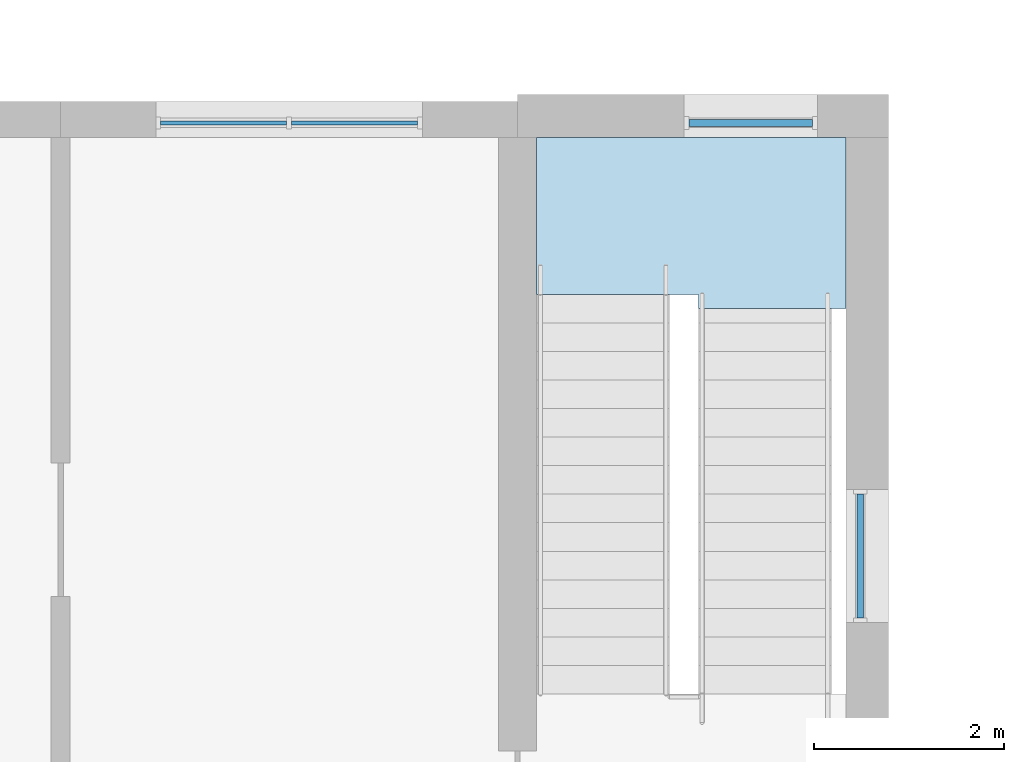
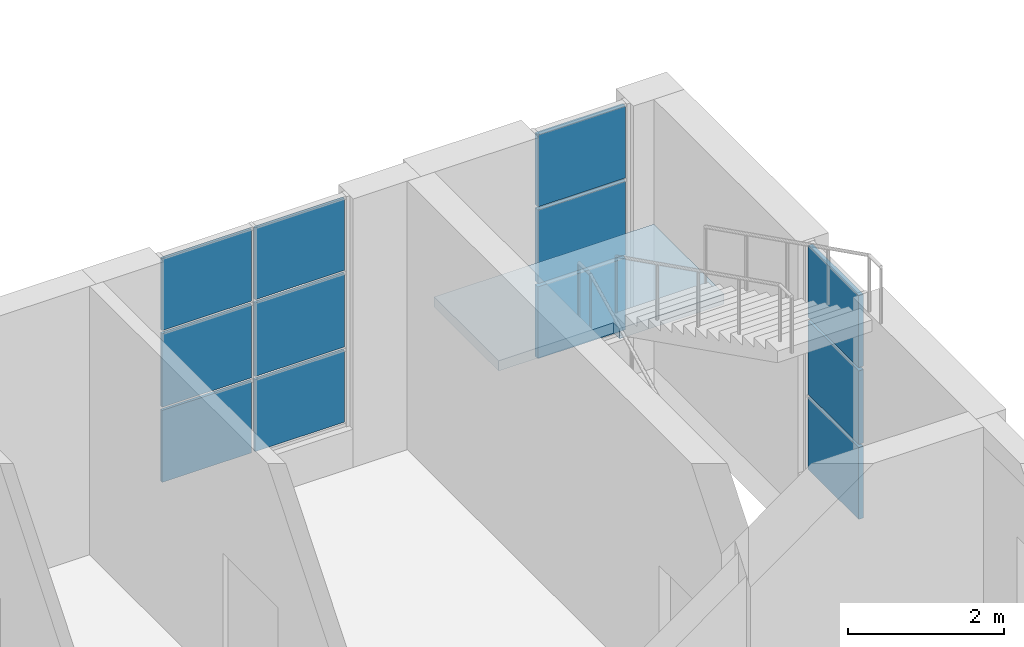
# One storey, part 29 of 66: 12 plates, 1 slab, 4 elements without a shape of their own.
"""IFC4 building model written with IfcOpenShell, lengths in metres."""

import ifcopenshell
import ifcopenshell.guid

model = None  # the IFC model being written
_history = None  # IfcOwnerHistory: only IFC2X3 demands one
_inside = {}  # id of a spatial element -> (the spatial element, [elements in it])
_under = {}  # id of a project, library or spatial element -> (it, [spatial elements below it])
_declared = {}  # id of a project -> (the project, [libraries it declares])
_typed = {}  # id of a type object -> (the type object, [elements of that type])
_made_of = {}  # id of a material, layer set ... -> (it, [elements and type objects made of it])


def new_model(schema):
    """Start an empty IFC model of exactly this schema.

    Asked for "IFC4X3", IfcOpenShell would pick the latest addendum, in which some entities
    have other attributes; the version numbers below select the first issue.
    IFC2X3 requires an IfcOwnerHistory on every rooted entity: one is made here for all.
    """
    global model, _history
    if schema == "IFC4X3":
        model = ifcopenshell.file(schema_version=(4, 3, 0, 0))
    else:
        model = ifcopenshell.file(schema=schema)
    _inside.clear()
    _under.clear()
    _declared.clear()
    _typed.clear()
    _made_of.clear()
    _history = None
    if model.schema == "IFC2X3":
        org = make("IfcOrganization", Name="unknown")
        user = make(
            "IfcPersonAndOrganization",
            ThePerson=make("IfcPerson", FamilyName="unknown"),
            TheOrganization=org,
        )
        app = make(
            "IfcApplication",
            ApplicationDeveloper=org,
            Version="unknown",
            ApplicationFullName="unknown",
            ApplicationIdentifier="unknown",
        )
        _history = make(
            "IfcOwnerHistory",
            OwningUser=user,
            OwningApplication=app,
            ChangeAction="ADDED",
            CreationDate=0,
        )
    return model


def make(cls, **values):
    """One entity of the class cls with the attributes given. An attribute that is None is left unset."""
    return model.create_entity(
        cls, **{name: value for name, value in values.items() if value is not None}
    )


def rooted(cls, **values):
    """An entity with a GlobalId (a new one), such as an element, a storey or a relation."""
    return make(cls, GlobalId=ifcopenshell.guid.new(), OwnerHistory=_history, **values)


def si_unit(unit_type, name, prefix=None):
    """IfcSIUnit, for example si_unit("LENGTHUNIT", "METRE", prefix="MILLI")."""
    return make("IfcSIUnit", UnitType=unit_type, Prefix=prefix, Name=name)


def assignment(units):
    """IfcUnitAssignment: the units of a project."""
    return None if units is None else make("IfcUnitAssignment", Units=units)


def point(xyz):
    """IfcCartesianPoint."""
    return None if xyz is None else make("IfcCartesianPoint", Coordinates=xyz)


def direction(xyz):
    """IfcDirection."""
    return None if xyz is None else make("IfcDirection", DirectionRatios=xyz)


def frame(location, z_axis=None, x_axis=None):
    """IfcAxis2Placement3D, a coordinate frame: its origin and axes. An axis left out is left unset."""
    return make(
        "IfcAxis2Placement3D",
        Location=point(location),
        Axis=direction(z_axis),
        RefDirection=direction(x_axis),
    )


def frame_2d(location, x_axis=None):
    """IfcAxis2Placement2D, a coordinate frame in the plane: its origin and x axis."""
    return make(
        "IfcAxis2Placement2D", Location=point(location), RefDirection=direction(x_axis)
    )


def origin():
    """The frame at (0, 0, 0) with its axes left unset."""
    return frame((0.0, 0.0, 0.0))


def origin_2d():
    """The frame at (0, 0) in the plane with its x axis left unset."""
    return frame_2d((0.0, 0.0))


def place(relative_to, where):
    """IfcLocalPlacement: puts the frame where relative to a parent placement (None: the world)."""
    return make(
        "IfcLocalPlacement", PlacementRelTo=relative_to, RelativePlacement=where
    )


def context(
    kind, dimensions, precision=None, world=None, true_north=None, identifier=None
):
    """IfcGeometricRepresentationContext, for example the 3D "Model" context."""
    return make(
        "IfcGeometricRepresentationContext",
        ContextIdentifier=identifier,
        ContextType=kind,
        CoordinateSpaceDimension=dimensions,
        Precision=precision,
        WorldCoordinateSystem=world,
        TrueNorth=true_north,
    )


def subcontext(parent, identifier, kind, view, scale=None):
    """IfcGeometricRepresentationSubContext, for example "Body" below "Model"."""
    return make(
        "IfcGeometricRepresentationSubContext",
        ContextIdentifier=identifier,
        ContextType=kind,
        ParentContext=parent,
        TargetScale=scale,
        TargetView=view,
    )


def project(units=None, contexts=None):
    """IfcProject with its units and contexts."""
    return rooted(
        "IfcProject",
        Name="project",
        RepresentationContexts=contexts,
        UnitsInContext=assignment(units),
    )


def spatial(cls, under=None, at=None, **own):
    """A site, building, storey or space (cls), placed at a placement, below another one or the project."""
    s = rooted(cls, ObjectPlacement=at, **own)
    if under is not None:
        _under.setdefault(under.id(), (under, []))[1].append(s)
    return s


def polyline(points):
    """IfcPolyline through the points."""
    return make("IfcPolyline", Points=[point(p) for p in points])


def profile(cls, at=None, kind="AREA", **sizes):
    """A parametric profile (cls). Its sizes go by their IFC names, for example OverallWidth=200.0."""
    return make(cls, ProfileType=kind, Position=at, **sizes)


def rectangle(**sizes):
    """IfcRectangleProfileDef."""
    return profile("IfcRectangleProfileDef", **sizes)


def outline(outer, holes=None, kind="AREA"):
    """IfcArbitraryClosedProfileDef: a profile drawn as a closed curve; with holes, ...WithVoids."""
    if holes is None:
        return make("IfcArbitraryClosedProfileDef", ProfileType=kind, OuterCurve=outer)
    return make(
        "IfcArbitraryProfileDefWithVoids",
        ProfileType=kind,
        OuterCurve=outer,
        InnerCurves=holes,
    )


def extrude(swept, where, along, depth):
    """IfcExtrudedAreaSolid: the profile swept, set in the frame where, extruded along a direction by depth."""
    return make(
        "IfcExtrudedAreaSolid",
        SweptArea=swept,
        Position=where,
        ExtrudedDirection=direction(along),
        Depth=depth,
    )


def shape(context_of_items, identifier, shape_type, items):
    """IfcShapeRepresentation: the items that make up one representation, for example the "Body"."""
    return make(
        "IfcShapeRepresentation",
        ContextOfItems=context_of_items,
        RepresentationIdentifier=identifier,
        RepresentationType=shape_type,
        Items=items,
    )


def material(Name=None, Category=None):
    """IfcMaterial."""
    return make("IfcMaterial", Name=Name, Category=Category)


def layer(
    of_material, thickness, ventilated=None, Name=None, Category=None, Priority=None
):
    """IfcMaterialLayer: one layer of a wall or slab, of a material (None: an air gap)."""
    return make(
        "IfcMaterialLayer",
        Material=of_material,
        LayerThickness=thickness,
        IsVentilated=ventilated,
        Name=Name,
        Category=Category,
        Priority=Priority,
    )


def layer_set(layers, Name=None):
    """IfcMaterialLayerSet."""
    return make("IfcMaterialLayerSet", MaterialLayers=layers, LayerSetName=Name)


def made_of(thing, what):
    """Note that an element or type object is made of a material, layer set ...; save() writes the relation."""
    if what is not None:
        _made_of.setdefault(what.id(), (what, []))[1].append(thing)
    return thing


def type_object(cls, material=None, **own):
    """A type object (cls), such as IfcWallType, which elements share."""
    return made_of(rooted(cls, **own), material)


def element(
    cls,
    number,
    at=None,
    inside=None,
    cuts=None,
    type_object=None,
    material=None,
    context=None,
    identifier="Body",
    shape_type=None,
    held_by="IfcProductDefinitionShape",
    body=None,
    shapes=None,
    **own,
):
    """One element of the class cls, such as IfcWall. Its Tag is "e" and its number.

    at: its placement. inside: the storey or other place that contains it. cuts: it is an
    opening in that element (IfcRelVoidsElement). A single representation is given by context,
    identifier, shape_type and body (its items); several are given by shapes. held_by: the class
    of the entity that holds the representations. save() writes the other relations.
    """
    e = rooted(cls, Tag="e%d" % number, ObjectPlacement=at, **own)
    if body is not None:
        shapes = [shape(context, identifier, shape_type, body)]
    if shapes is not None:
        e.Representation = make(held_by, Representations=shapes)
    if inside is not None:
        _inside.setdefault(inside.id(), (inside, []))[1].append(e)
    if cuts is not None:
        rooted(
            "IfcRelVoidsElement", RelatingBuildingElement=cuts, RelatedOpeningElement=e
        )
    if type_object is not None:
        _typed.setdefault(type_object.id(), (type_object, []))[1].append(e)
    return made_of(e, material)


def aggregate(whole, parts):
    """IfcRelAggregates: a whole, such as a stair, and the parts it consists of."""
    return rooted("IfcRelAggregates", RelatingObject=whole, RelatedObjects=parts)


def save(model, path):
    """Write the relations noted so far, then the file.

    IfcRelAggregates (storeys below a building ...), IfcRelContainedInSpatialStructure (elements
    in a storey), IfcRelDefinesByType, IfcRelAssociatesMaterial and IfcRelDeclares: one each for
    every whole, place, type object, material and project.
    """
    for whole, parts in _under.values():
        aggregate(whole, parts)
    for where, things in _inside.values():
        rooted(
            "IfcRelContainedInSpatialStructure",
            RelatedElements=things,
            RelatingStructure=where,
        )
    for kind, things in _typed.values():
        rooted("IfcRelDefinesByType", RelatedObjects=things, RelatingType=kind)
    for what, things in _made_of.values():
        rooted("IfcRelAssociatesMaterial", RelatedObjects=things, RelatingMaterial=what)
    for by, libraries in _declared.values():
        rooted("IfcRelDeclares", RelatingContext=by, RelatedDefinitions=libraries)
    model.write(path)


model = new_model("IFC4")

# Units and contexts
model_context = context("Model", 3, precision=1e-05, world=origin(), true_north=direction((0.0, 1.0)))
body_context = subcontext(model_context, "Body", "Model", "MODEL_VIEW")
ifc_project = project(units=[si_unit("LENGTHUNIT", "METRE"), si_unit("AREAUNIT", "SQUARE_METRE"), si_unit("VOLUMEUNIT", "CUBIC_METRE"), si_unit("PLANEANGLEUNIT", "RADIAN"), si_unit("MASSUNIT", "GRAM", prefix="KILO")], contexts=[model_context])

# Site, building, storey
site_placement = place(None, origin())
site = spatial("IfcSite", under=ifc_project, at=site_placement, CompositionType="ELEMENT")
building_placement = place(site_placement, origin())
building = spatial("IfcBuilding", under=site, at=building_placement, Name="Yavir Park General Hospital", CompositionType="ELEMENT")
storey_placement = place(building_placement, frame((0.0, 0.0, 8.39990234375)))
storey = spatial("IfcBuildingStorey", under=building, at=storey_placement, Name="L02", CompositionType="ELEMENT", Elevation=8.39990234375)

# Curtain wall, plates
ifc_material_1 = material(Name="Aluminium curtain wall frame with insulated glazing", Category="aluminium")
curtain_wall_type_1 = type_object("IfcCurtainWallType", Name="Clinical corridor end glazing, 3600 high, 1400 module", PredefinedType="NOTDEFINED", material=ifc_material_1)
curtain_wall_1_placement = place(storey_placement, origin())
curtain_wall_1 = element("IfcCurtainWall", 1, at=curtain_wall_1_placement, inside=storey, type_object=curtain_wall_type_1, Name="CW59 L02-016", PredefinedType="NOTDEFINED")
ifc_material_2 = material(Name="Solar-control insulated glazed unit 40 mm")
ifc_layer_1 = layer(ifc_material_2, 0.0400390625)
ifc_layer_set_1 = layer_set([ifc_layer_1], Name="Solar-control insulated glazed unit 40 mm")
plate_type_1 = type_object("IfcPlateType", Name="Clinical corridor end glazing, 3600 high panel 40", PredefinedType="CURTAIN_PANEL", material=ifc_layer_set_1)
plate_1_placement = place(storey_placement, frame((18.512451171875, 117.60009765625, 0.650146484375), z_axis=(0.0, 0.0, 1.0), x_axis=(1.0, 0.0, 0.0)))
plate_1 = element("IfcPlate", 2, at=plate_1_placement, type_object=plate_type_1, Name="CW59 panel 1.1", PredefinedType="CURTAIN_PANEL", context=body_context, shape_type="SweptSolid", body=[
    extrude(rectangle(XDim=1.324951171875, YDim=0.0400390625, at=origin_2d()), origin(), (0.0, 0.0, 1.0), 1.125),
])
plate_2_placement = place(storey_placement, frame((18.512451171875, 117.60009765625, 1.8251953125), z_axis=(0.0, 0.0, 1.0), x_axis=(1.0, 0.0, 0.0)))
plate_2 = element("IfcPlate", 3, at=plate_2_placement, type_object=plate_type_1, Name="CW59 panel 1.2", PredefinedType="CURTAIN_PANEL", context=body_context, shape_type="SweptSolid", body=[
    extrude(rectangle(XDim=1.324951171875, YDim=0.0400390625, at=origin_2d()), origin(), (0.0, 0.0, 1.0), 1.14990234375),
])
plate_3_placement = place(storey_placement, frame((18.512451171875, 117.60009765625, 3.025146484375), z_axis=(0.0, 0.0, 1.0), x_axis=(1.0, 0.0, 0.0)))
plate_3 = element("IfcPlate", 4, at=plate_3_placement, type_object=plate_type_1, Name="CW59 panel 1.3", PredefinedType="CURTAIN_PANEL", context=body_context, shape_type="SweptSolid", body=[
    extrude(rectangle(XDim=1.324951171875, YDim=0.0400390625, at=origin_2d()), origin(), (0.0, 0.0, 1.0), 1.125),
])
plate_4_placement = place(storey_placement, frame((19.887451171875, 117.60009765625, 0.650146484375), z_axis=(0.0, 0.0, 1.0), x_axis=(1.0, 0.0, 0.0)))
plate_4 = element("IfcPlate", 5, at=plate_4_placement, type_object=plate_type_1, Name="CW59 panel 2.1", PredefinedType="CURTAIN_PANEL", context=body_context, shape_type="SweptSolid", body=[
    extrude(rectangle(XDim=1.324951171875, YDim=0.0400390625, at=origin_2d()), origin(), (0.0, 0.0, 1.0), 1.125),
])
plate_5_placement = place(storey_placement, frame((19.887451171875, 117.60009765625, 1.8251953125), z_axis=(0.0, 0.0, 1.0), x_axis=(1.0, 0.0, 0.0)))
plate_5 = element("IfcPlate", 6, at=plate_5_placement, type_object=plate_type_1, Name="CW59 panel 2.2", PredefinedType="CURTAIN_PANEL", context=body_context, shape_type="SweptSolid", body=[
    extrude(rectangle(XDim=1.324951171875, YDim=0.0400390625, at=origin_2d()), origin(), (0.0, 0.0, 1.0), 1.14990234375),
])
plate_6_placement = place(storey_placement, frame((19.887451171875, 117.60009765625, 3.025146484375), z_axis=(0.0, 0.0, 1.0), x_axis=(1.0, 0.0, 0.0)))
plate_6 = element("IfcPlate", 7, at=plate_6_placement, type_object=plate_type_1, Name="CW59 panel 2.3", PredefinedType="CURTAIN_PANEL", context=body_context, shape_type="SweptSolid", body=[
    extrude(rectangle(XDim=1.324951171875, YDim=0.0400390625, at=origin_2d()), origin(), (0.0, 0.0, 1.0), 1.125),
])
aggregate(curtain_wall_1, [plate_1, plate_2, plate_3, plate_4, plate_5, plate_6])

# Stair, slab
ifc_material_3 = material(Name="Concrete C30/37", Category="concrete")
stair_type = type_object("IfcStairType", Name="Patient escape stair, 30 risers of 150 mm, 1400 mm flights", PredefinedType="HALF_TURN_STAIR", material=ifc_material_3)
stair_placement = place(storey_placement, origin())
stair = element("IfcStair", 8, at=stair_placement, inside=storey, type_object=stair_type, Name="Stair SW3, L02 to I02", PredefinedType="HALF_TURN_STAIR")
ifc_material_4 = material(Name="Concrete C30/37", Category="concrete")
ifc_layer_2 = layer(ifc_material_4, 0.159912109375)
ifc_layer_set_2 = layer_set([ifc_layer_2], Name="Concrete C30/37")
slab_type = type_object("IfcSlabType", Name="Patient escape stair half landing, reinforced concrete 160 mm", PredefinedType="LANDING", material=ifc_layer_set_2)
slab_placement = place(storey_placement, frame((0.0, 0.0, 2.090087890625)))
slab = element("IfcSlab", 9, at=slab_placement, type_object=slab_type, Name="SW3 landing 1", PredefinedType="LANDING", context=body_context, shape_type="SweptSolid", body=[
    extrude(outline(polyline([(21.800048828125, 115.798583984375), (21.800048828125, 117.449951171875), (25.050048828125, 117.449951171875), (25.050048828125, 115.64990234375), (23.5, 115.64990234375), (23.5, 115.798583984375), (21.800048828125, 115.798583984375)])), origin(), (0.0, 0.0, 1.0), 0.159912109375),
])
aggregate(stair, [slab])

# Curtain wall, plates
ifc_material_5 = material(Name="Aluminium curtain wall frame with insulated glazing", Category="aluminium")
curtain_wall_type_2 = type_object("IfcCurtainWallType", Name="Stair light slot, podium, 3600 high, 1400 module", PredefinedType="NOTDEFINED", material=ifc_material_5)
curtain_wall_2_placement = place(storey_placement, origin())
curtain_wall_2 = element("IfcCurtainWall", 10, at=curtain_wall_2_placement, inside=storey, type_object=curtain_wall_type_2, Name="CW57 L02-017", PredefinedType="NOTDEFINED")
ifc_material_6 = material(Name="Fire-resisting glazed unit 70 mm")
ifc_layer_3 = layer(ifc_material_6, 0.070068359375)
ifc_layer_set_3 = layer_set([ifc_layer_3], Name="Fire-resisting glazed unit 70 mm")
plate_type_2 = type_object("IfcPlateType", Name="Stair light slot, podium, 3600 high panel 70", PredefinedType="CURTAIN_PANEL", material=ifc_layer_set_3)
plate_7_placement = place(storey_placement, frame((24.050048828125, 117.60009765625, 0.650146484375), z_axis=(0.0, 0.0, 1.0), x_axis=(1.0, 0.0, 0.0)))
plate_7 = element("IfcPlate", 11, at=plate_7_placement, type_object=plate_type_2, Name="CW57 panel 1.1", PredefinedType="CURTAIN_PANEL", context=body_context, shape_type="SweptSolid", body=[
    extrude(rectangle(XDim=1.300048828125, YDim=0.070068359375, at=origin_2d()), origin(), (0.0, 0.0, 1.0), 1.125),
])
plate_8_placement = place(storey_placement, frame((24.050048828125, 117.60009765625, 1.8251953125), z_axis=(0.0, 0.0, 1.0), x_axis=(1.0, 0.0, 0.0)))
plate_8 = element("IfcPlate", 12, at=plate_8_placement, type_object=plate_type_2, Name="CW57 panel 1.2", PredefinedType="CURTAIN_PANEL", context=body_context, shape_type="SweptSolid", body=[
    extrude(rectangle(XDim=1.300048828125, YDim=0.070068359375, at=origin_2d()), origin(), (0.0, 0.0, 1.0), 1.14990234375),
])
plate_9_placement = place(storey_placement, frame((24.050048828125, 117.60009765625, 3.025146484375), z_axis=(0.0, 0.0, 1.0), x_axis=(1.0, 0.0, 0.0)))
plate_9 = element("IfcPlate", 13, at=plate_9_placement, type_object=plate_type_2, Name="CW57 panel 1.3", PredefinedType="CURTAIN_PANEL", context=body_context, shape_type="SweptSolid", body=[
    extrude(rectangle(XDim=1.300048828125, YDim=0.070068359375, at=origin_2d()), origin(), (0.0, 0.0, 1.0), 1.125),
])
aggregate(curtain_wall_2, [plate_7, plate_8, plate_9])

curtain_wall_3_placement = place(storey_placement, origin())
curtain_wall_3 = element("IfcCurtainWall", 14, at=curtain_wall_3_placement, inside=storey, type_object=curtain_wall_type_2, Name="CW57 L02-024", PredefinedType="NOTDEFINED")
plate_10_placement = place(storey_placement, frame((25.199951171875, 113.050048828125, 0.650146484375), z_axis=(0.0, 0.0, 1.0), x_axis=(0.0, 1.0, 0.0)))
plate_10 = element("IfcPlate", 15, at=plate_10_placement, type_object=plate_type_2, Name="CW57 panel 1.1", PredefinedType="CURTAIN_PANEL", context=body_context, shape_type="SweptSolid", body=[
    extrude(rectangle(XDim=1.300048828125, YDim=0.070068359375, at=origin_2d()), origin(), (0.0, 0.0, 1.0), 1.125),
])
plate_11_placement = place(storey_placement, frame((25.199951171875, 113.050048828125, 1.8251953125), z_axis=(0.0, 0.0, 1.0), x_axis=(0.0, 1.0, 0.0)))
plate_11 = element("IfcPlate", 16, at=plate_11_placement, type_object=plate_type_2, Name="CW57 panel 1.2", PredefinedType="CURTAIN_PANEL", context=body_context, shape_type="SweptSolid", body=[
    extrude(rectangle(XDim=1.300048828125, YDim=0.070068359375, at=origin_2d()), origin(), (0.0, 0.0, 1.0), 1.14990234375),
])
plate_12_placement = place(storey_placement, frame((25.199951171875, 113.050048828125, 3.025146484375), z_axis=(0.0, 0.0, 1.0), x_axis=(0.0, 1.0, 0.0)))
plate_12 = element("IfcPlate", 17, at=plate_12_placement, type_object=plate_type_2, Name="CW57 panel 1.3", PredefinedType="CURTAIN_PANEL", context=body_context, shape_type="SweptSolid", body=[
    extrude(rectangle(XDim=1.300048828125, YDim=0.070068359375, at=origin_2d()), origin(), (0.0, 0.0, 1.0), 1.125),
])
aggregate(curtain_wall_3, [plate_10, plate_11, plate_12])

save(model, "model.ifc")
